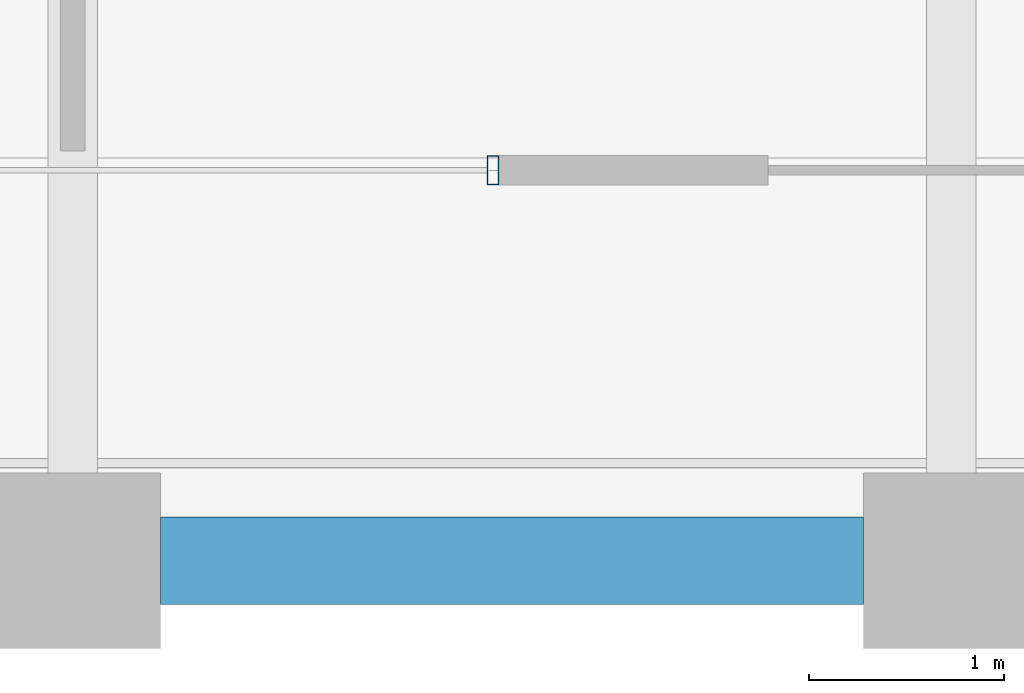
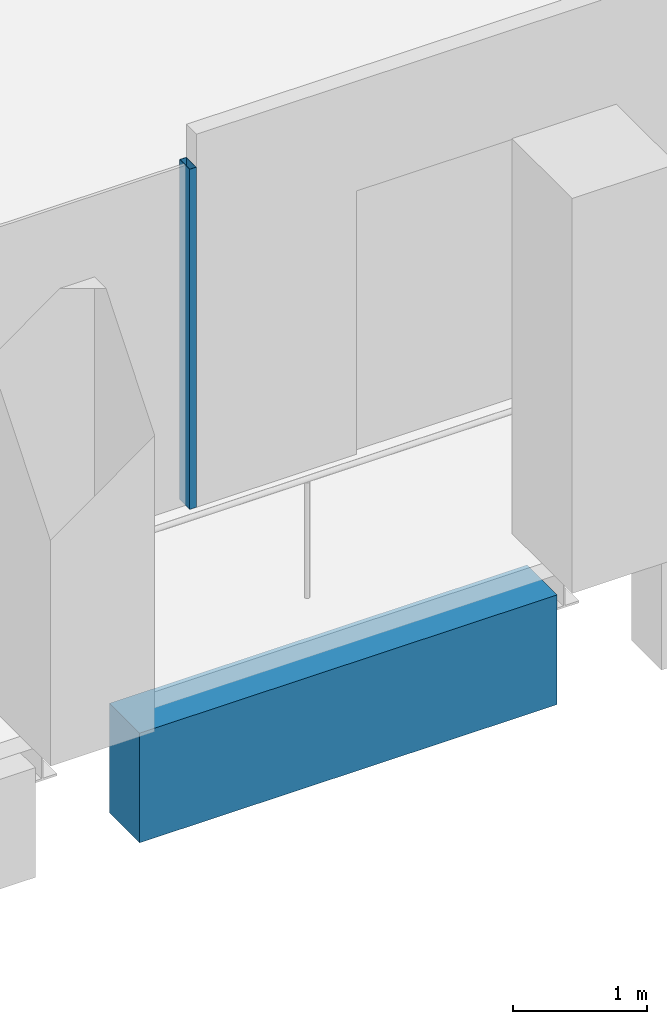
# One storey, part 7 of 40: 1 beam, 1 member, 1 element without a shape of its own.
"""IFC4 building model written with IfcOpenShell, lengths in metres."""

from ifc_helpers import new_model, si_unit, direction, frame, origin, origin_2d, place, context, subcontext, project, spatial, rectangle, hollow_rectangle, extrude, material, material_profile, profile_set, type_object, element, aggregate, save


model = new_model("IFC4")

# Units and contexts
model_context = context("Model", 3, precision=1e-05, world=origin(), true_north=direction((0.0, 1.0)))
body_context = subcontext(model_context, "Body", "Model", "MODEL_VIEW")
ifc_project = project(units=[si_unit("LENGTHUNIT", "METRE"), si_unit("AREAUNIT", "SQUARE_METRE"), si_unit("VOLUMEUNIT", "CUBIC_METRE"), si_unit("PLANEANGLEUNIT", "RADIAN"), si_unit("MASSUNIT", "GRAM", prefix="KILO")], contexts=[model_context])

# Site, building, storey
site_placement = place(None, origin())
site = spatial("IfcSite", under=ifc_project, at=site_placement, CompositionType="ELEMENT")
building_placement = place(site_placement, origin())
building = spatial("IfcBuilding", under=site, at=building_placement, Name="Altepetl Exchange Towers", CompositionType="ELEMENT")
storey_placement = place(building_placement, frame((0.0, 0.0, 187.0)))
storey = spatial("IfcBuildingStorey", under=building, at=storey_placement, Name="L47", CompositionType="ELEMENT", Elevation=187.0)

# Curtain wall, member
ifc_material_1 = material(Name="Aluminium 6063-T6 glazing", Category="aluminium")
curtain_wall_type = type_object("IfcCurtainWallType", Name="Loggia glazing system", PredefinedType="NOTDEFINED", material=ifc_material_1)
curtain_wall_placement = place(storey_placement, origin())
curtain_wall = element("IfcCurtainWall", 1, at=curtain_wall_placement, inside=storey, type_object=curtain_wall_type, Name="CW1 run", PredefinedType="NOTDEFINED")
ifc_material_2 = material(Name="Aluminium 6063-T6", Category="aluminium")
ifc_material_profile_1 = material_profile(ifc_material_2, hollow_rectangle(XDim=0.06005859375, YDim=0.14990234375, WallThickness=0.0029296875, at=origin_2d()), Name="Mullion 60x150 aluminium")
ifc_profile_set_1 = profile_set([ifc_material_profile_1], Name="Aluminium 6063-T6")
member_type = type_object("IfcMemberType", Name="Mullion 60x150 aluminium", PredefinedType="MULLION", material=ifc_profile_set_1)
member_placement = place(storey_placement, frame((47.152099609375, 29.0, 0.0)))
member = element("IfcMember", 2, at=member_placement, type_object=member_type, Name="MU1 mullion", PredefinedType="MULLION", context=body_context, shape_type="SweptSolid", body=[
    extrude(hollow_rectangle(XDim=0.06005859375, YDim=0.14990234375, WallThickness=0.0029296875, at=origin_2d()), origin(), (0.0, 0.0, 1.0), 3.10009765625),
])
aggregate(curtain_wall, [member])

# Beam
ifc_material_3 = material(Name="Concrete C50/60 precast with cantera blanca facing", Category="concrete")
ifc_material_profile_2 = material_profile(ifc_material_3, rectangle(XDim=0.449951171875, YDim=1.0, at=origin_2d()), Name="450 x 1000")
ifc_profile_set_2 = profile_set([ifc_material_profile_2], Name="Concrete C50/60 precast with cantera blanca facing")
beam_type = type_object("IfcBeamType", Name="Spandrel beam 450x1000 cantera blanca", PredefinedType="SPANDREL", material=ifc_profile_set_2)
beam_placement = place(storey_placement, frame((45.449951171875, 27.0, -0.64990234375), z_axis=(1.0, 0.0, 0.0), x_axis=(0.0, 1.0, 0.0)))
element("IfcBeam", 3, at=beam_placement, inside=storey, type_object=beam_type, Name="sp:A:L47:003", PredefinedType="SPANDREL", context=body_context, shape_type="SweptSolid", body=[
    extrude(rectangle(XDim=0.449951171875, YDim=1.0, at=origin_2d()), origin(), (0.0, 0.0, 1.0), 3.60009765625),
])

save(model, "model.ifc")
